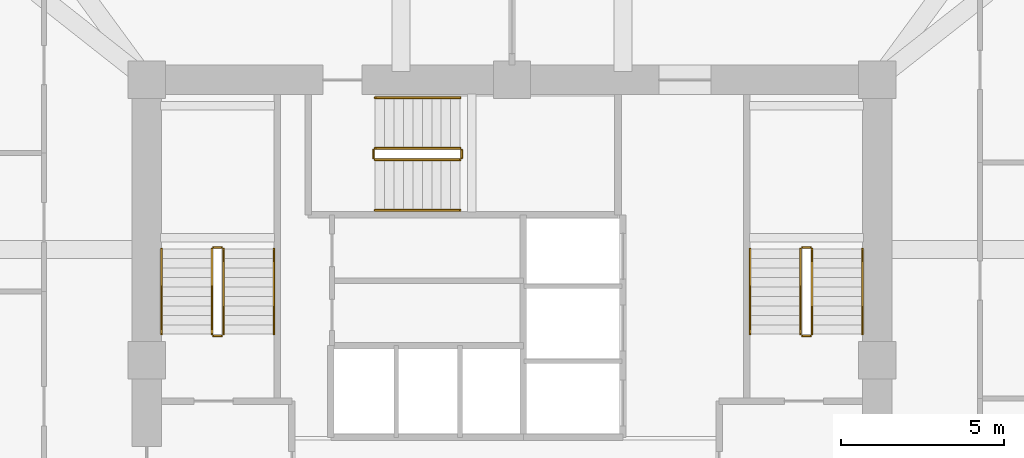
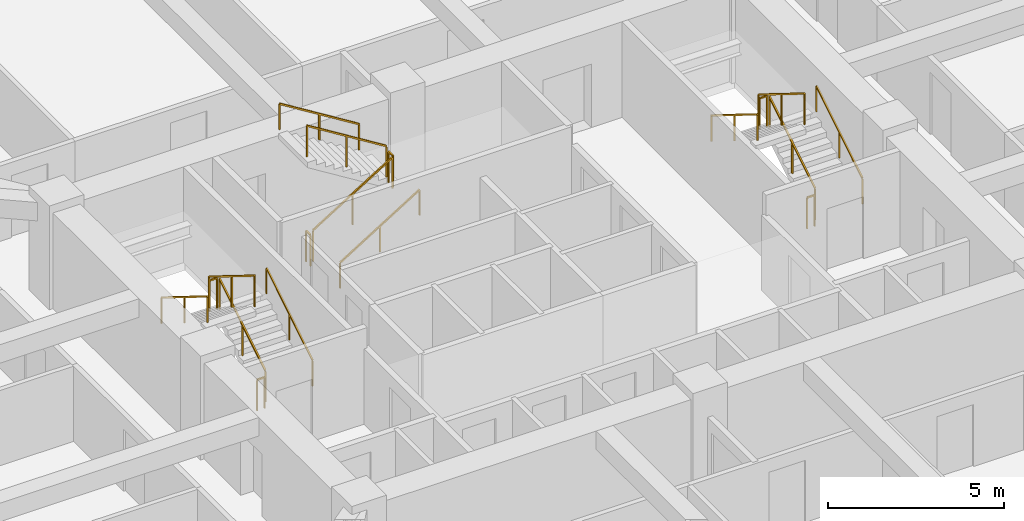
# One storey, part 14 of 14: 18 railings.
"""IFC4 building model written with IfcOpenShell, lengths in metres."""

from ifc_helpers import new_model, si_unit, derived_unit, direction, frame, origin, origin_2d, place, context, subcontext, project, spatial, rectangle, extrude, material, type_object, element, save


model = new_model("IFC4")

# Units and contexts
model_context = context("Model", 3, precision=1e-05, world=origin(), true_north=direction((0.0, 1.0)))
body_context = subcontext(model_context, "Body", "Model", "MODEL_VIEW")
ifc_project = project(units=[si_unit("LENGTHUNIT", "METRE"), si_unit("AREAUNIT", "SQUARE_METRE"), si_unit("VOLUMEUNIT", "CUBIC_METRE"), si_unit("PLANEANGLEUNIT", "RADIAN"), si_unit("MASSUNIT", "GRAM", prefix="KILO"), derived_unit("THERMALTRANSMITTANCEUNIT", [(si_unit("POWERUNIT", "WATT"), 1), (si_unit("LENGTHUNIT", "METRE"), -2), (si_unit("THERMODYNAMICTEMPERATUREUNIT", "KELVIN"), -1)])], contexts=[model_context])

# Site, building, storey
site_placement = place(None, origin())
site = spatial("IfcSite", under=ifc_project, at=site_placement, CompositionType="ELEMENT")
building_placement = place(site_placement, origin())
building = spatial("IfcBuilding", under=site, at=building_placement, Name="Koralith Skygarden Medical Center", CompositionType="ELEMENT")
storey_placement = place(building_placement, frame((0.0, 0.0, 34.739990234375)))
storey = spatial("IfcBuildingStorey", under=building, at=storey_placement, Name="L08", CompositionType="ELEMENT", Elevation=34.739990234375)

# Railings
ifc_material = material(Name="Steel ASTM A500 Grade C", Category="steel")
railing_type_1 = type_object("IfcRailingType", Name="Stair Flight Tubular Handrail 920", PredefinedType="HANDRAIL", material=ifc_material)
railing_1_placement = place(storey_placement, frame((29.699951171875, 26.699951171875, 0.179931640625)))
element("IfcRailing", 1, at=railing_1_placement, inside=storey, type_object=railing_type_1, Name="L08 ST1 stair handrail 1", PredefinedType="HANDRAIL", context=body_context, shape_type="SweptSolid", body=[
    extrude(rectangle(XDim=0.050048828125, YDim=0.050048828125, at=origin_2d()), frame((0.0, 0.001708984375, 0.89599609375), z_axis=(0.0, 0.849632798774, 0.527374731332), x_axis=(-1.0, 0.0, 0.0)), (0.0, 0.0, 1.0), 3.068115234375),
    extrude(rectangle(XDim=0.0419921875, YDim=0.0419921875, at=origin_2d()), origin(), (0.0, 0.0, 1.0), 0.867919921875),
    extrude(rectangle(XDim=0.0419921875, YDim=0.0419921875, at=origin_2d()), frame((0.0, 1.30517578125, 0.81005859375)), (0.0, 0.0, 1.0), 0.867919921875),
    extrude(rectangle(XDim=0.0419921875, YDim=0.0419921875, at=origin_2d()), frame((0.0, 2.610107421875, 1.6201171875)), (0.0, 0.0, 1.0), 0.867919921875),
])
railing_2_placement = place(storey_placement, frame((26.25, 29.31005859375, 1.97998046875)))
element("IfcRailing", 2, at=railing_2_placement, inside=storey, type_object=railing_type_1, Name="L08 ST1 stair handrail 2", PredefinedType="HANDRAIL", context=body_context, shape_type="SweptSolid", body=[
    extrude(rectangle(XDim=0.050048828125, YDim=0.050048828125, at=origin_2d()), frame((0.0, -0.001708984375, 0.89599609375), z_axis=(0.0, -0.849632798774, 0.527374731332), x_axis=(1.0, 0.0, 0.0)), (0.0, 0.0, 1.0), 3.068115234375),
    extrude(rectangle(XDim=0.0419921875, YDim=0.0419921875, at=origin_2d()), origin(), (0.0, 0.0, 1.0), 0.867919921875),
    extrude(rectangle(XDim=0.0419921875, YDim=0.0419921875, at=origin_2d()), frame((0.0, -1.30517578125, 0.81005859375)), (0.0, 0.0, 1.0), 0.867919921875),
    extrude(rectangle(XDim=0.0419921875, YDim=0.0419921875, at=origin_2d()), frame((0.0, -2.610107421875, 1.6201171875)), (0.0, 0.0, 1.0), 0.867919921875),
])
railing_3_placement = place(storey_placement, frame((47.75, 26.699951171875, 0.179931640625)))
element("IfcRailing", 3, at=railing_3_placement, inside=storey, type_object=railing_type_1, Name="L08 ST2 stair handrail 1", PredefinedType="HANDRAIL", context=body_context, shape_type="SweptSolid", body=[
    extrude(rectangle(XDim=0.050048828125, YDim=0.050048828125, at=origin_2d()), frame((0.0, 0.001708984375, 0.89599609375), z_axis=(0.0, 0.849632798774, 0.527374731332), x_axis=(-1.0, 0.0, 0.0)), (0.0, 0.0, 1.0), 3.068115234375),
    extrude(rectangle(XDim=0.0419921875, YDim=0.0419921875, at=origin_2d()), origin(), (0.0, 0.0, 1.0), 0.867919921875),
    extrude(rectangle(XDim=0.0419921875, YDim=0.0419921875, at=origin_2d()), frame((0.0, 1.30517578125, 0.81005859375)), (0.0, 0.0, 1.0), 0.867919921875),
    extrude(rectangle(XDim=0.0419921875, YDim=0.0419921875, at=origin_2d()), frame((0.0, 2.610107421875, 1.6201171875)), (0.0, 0.0, 1.0), 0.867919921875),
])
railing_4_placement = place(storey_placement, frame((44.300048828125, 29.31005859375, 1.97998046875)))
element("IfcRailing", 4, at=railing_4_placement, inside=storey, type_object=railing_type_1, Name="L08 ST2 stair handrail 2", PredefinedType="HANDRAIL", context=body_context, shape_type="SweptSolid", body=[
    extrude(rectangle(XDim=0.050048828125, YDim=0.050048828125, at=origin_2d()), frame((0.0, -0.001708984375, 0.89599609375), z_axis=(0.0, -0.849632798774, 0.527374731332), x_axis=(1.0, 0.0, 0.0)), (0.0, 0.0, 1.0), 3.068115234375),
    extrude(rectangle(XDim=0.0419921875, YDim=0.0419921875, at=origin_2d()), origin(), (0.0, 0.0, 1.0), 0.867919921875),
    extrude(rectangle(XDim=0.0419921875, YDim=0.0419921875, at=origin_2d()), frame((0.0, -1.30517578125, 0.81005859375)), (0.0, 0.0, 1.0), 0.867919921875),
    extrude(rectangle(XDim=0.0419921875, YDim=0.0419921875, at=origin_2d()), frame((0.0, -2.610107421875, 1.6201171875)), (0.0, 0.0, 1.0), 0.867919921875),
])
railing_5_placement = place(storey_placement, frame((32.800048828125, 30.5, 0.179931640625)))
element("IfcRailing", 5, at=railing_5_placement, inside=storey, type_object=railing_type_1, Name="L08 ST3 stair handrail 1", PredefinedType="HANDRAIL", context=body_context, shape_type="SweptSolid", body=[
    extrude(rectangle(XDim=0.050048828125, YDim=0.050048828125, at=origin_2d()), frame((0.001708984375, 0.0, 0.89599609375), z_axis=(0.849610693518, 0.0, 0.52741034258), x_axis=(0.0, 1.0, 0.0)), (0.0, 0.0, 1.0), 3.06787109375),
    extrude(rectangle(XDim=0.0419921875, YDim=0.0419921875, at=origin_2d()), origin(), (0.0, 0.0, 1.0), 0.867919921875),
    extrude(rectangle(XDim=0.0419921875, YDim=0.0419921875, at=origin_2d()), frame((1.304931640625, 0.0, 0.81005859375)), (0.0, 0.0, 1.0), 0.867919921875),
    extrude(rectangle(XDim=0.0419921875, YDim=0.0419921875, at=origin_2d()), frame((2.60986328125, 0.0, 1.6201171875)), (0.0, 0.0, 1.0), 0.867919921875),
])
railing_6_placement = place(storey_placement, frame((35.409912109375, 33.949951171875, 1.97998046875)))
element("IfcRailing", 6, at=railing_6_placement, inside=storey, type_object=railing_type_1, Name="L08 ST3 stair handrail 2", PredefinedType="HANDRAIL", context=body_context, shape_type="SweptSolid", body=[
    extrude(rectangle(XDim=0.050048828125, YDim=0.050048828125, at=origin_2d()), frame((-0.001708984375, 0.0, 0.89599609375), z_axis=(-0.849610693518, 0.0, 0.52741034258), x_axis=(0.0, -1.0, 0.0)), (0.0, 0.0, 1.0), 3.06787109375),
    extrude(rectangle(XDim=0.0419921875, YDim=0.0419921875, at=origin_2d()), origin(), (0.0, 0.0, 1.0), 0.867919921875),
    extrude(rectangle(XDim=0.0419921875, YDim=0.0419921875, at=origin_2d()), frame((-1.304931640625, 0.0, 0.81005859375)), (0.0, 0.0, 1.0), 0.867919921875),
    extrude(rectangle(XDim=0.0419921875, YDim=0.0419921875, at=origin_2d()), frame((-2.60986328125, 0.0, 1.6201171875)), (0.0, 0.0, 1.0), 0.867919921875),
])
railing_type_2 = type_object("IfcRailingType", Name="Stair Well Safety Guardrail 1100", PredefinedType="GUARDRAIL", material=ifc_material)
railing_7_placement = place(storey_placement, frame((28.14990234375, 26.699951171875, 0.179931640625)))
element("IfcRailing", 7, at=railing_7_placement, inside=storey, type_object=railing_type_2, Name="L08 ST1 stair guard 1", PredefinedType="GUARDRAIL", context=body_context, shape_type="SweptSolid", body=[
    extrude(rectangle(XDim=0.050048828125, YDim=0.050048828125, at=origin_2d()), frame((0.0, 0.001708984375, 1.076171875), z_axis=(0.0, 0.849632798774, 0.527374731332), x_axis=(-1.0, 0.0, 0.0)), (0.0, 0.0, 1.0), 3.068115234375),
    extrude(rectangle(XDim=0.0419921875, YDim=0.0419921875, at=origin_2d()), origin(), (0.0, 0.0, 1.0), 1.048095703125),
    extrude(rectangle(XDim=0.0419921875, YDim=0.0419921875, at=origin_2d()), frame((0.0, 1.30517578125, 0.81005859375)), (0.0, 0.0, 1.0), 1.048095703125),
    extrude(rectangle(XDim=0.0419921875, YDim=0.0419921875, at=origin_2d()), frame((0.0, 2.610107421875, 1.6201171875)), (0.0, 0.0, 1.0), 1.048095703125),
])
railing_8_placement = place(storey_placement, frame((28.10009765625, 29.360107421875, 1.800048828125)))
element("IfcRailing", 8, at=railing_8_placement, inside=storey, type_object=railing_type_2, Name="L08 ST1 stair guard 2", PredefinedType="GUARDRAIL", context=body_context, shape_type="SweptSolid", body=[
    extrude(rectangle(XDim=0.050048828125, YDim=0.050048828125, at=origin_2d()), frame((-0.001953125, 0.0, 1.0751953125), z_axis=(-1.0, 0.0, 0.0), x_axis=(0.0, -1.0, 0.0)), (0.0, 0.0, 1.0), 0.24609375),
    extrude(rectangle(XDim=0.0419921875, YDim=0.0419921875, at=origin_2d()), origin(), (0.0, 0.0, 1.0), 1.048095703125),
    extrude(rectangle(XDim=0.0419921875, YDim=0.0419921875, at=origin_2d()), frame((-0.25, 0.0, 0.0)), (0.0, 0.0, 1.0), 1.048095703125),
])
railing_9_placement = place(storey_placement, frame((27.800048828125, 29.31005859375, 1.97998046875)))
element("IfcRailing", 9, at=railing_9_placement, inside=storey, type_object=railing_type_2, Name="L08 ST1 stair guard 3", PredefinedType="GUARDRAIL", context=body_context, shape_type="SweptSolid", body=[
    extrude(rectangle(XDim=0.050048828125, YDim=0.050048828125, at=origin_2d()), frame((0.0, -0.001708984375, 1.076171875), z_axis=(0.0, -0.849632798774, 0.527374731332), x_axis=(1.0, 0.0, 0.0)), (0.0, 0.0, 1.0), 3.068115234375),
    extrude(rectangle(XDim=0.0419921875, YDim=0.0419921875, at=origin_2d()), origin(), (0.0, 0.0, 1.0), 1.048095703125),
    extrude(rectangle(XDim=0.0419921875, YDim=0.0419921875, at=origin_2d()), frame((0.0, -1.30517578125, 0.81005859375)), (0.0, 0.0, 1.0), 1.048095703125),
    extrude(rectangle(XDim=0.0419921875, YDim=0.0419921875, at=origin_2d()), frame((0.0, -2.610107421875, 1.6201171875)), (0.0, 0.0, 1.0), 1.048095703125),
])
railing_10_placement = place(storey_placement, frame((28.10009765625, 26.64990234375, 0.0)))
element("IfcRailing", 10, at=railing_10_placement, inside=storey, type_object=railing_type_2, Name="L08 ST1 stair guard 4", PredefinedType="GUARDRAIL", context=body_context, shape_type="SweptSolid", body=[
    extrude(rectangle(XDim=0.050048828125, YDim=0.050048828125, at=origin_2d()), frame((-0.001953125, 0.0, 1.0751953125), z_axis=(-1.0, 0.0, 0.0), x_axis=(0.0, -1.0, 0.0)), (0.0, 0.0, 1.0), 0.24609375),
    extrude(rectangle(XDim=0.0419921875, YDim=0.0419921875, at=origin_2d()), origin(), (0.0, 0.0, 1.0), 1.048095703125),
    extrude(rectangle(XDim=0.0419921875, YDim=0.0419921875, at=origin_2d()), frame((-0.25, 0.0, 0.0)), (0.0, 0.0, 1.0), 1.048095703125),
])
railing_11_placement = place(storey_placement, frame((46.199951171875, 26.699951171875, 0.179931640625)))
element("IfcRailing", 11, at=railing_11_placement, inside=storey, type_object=railing_type_2, Name="L08 ST2 stair guard 1", PredefinedType="GUARDRAIL", context=body_context, shape_type="SweptSolid", body=[
    extrude(rectangle(XDim=0.050048828125, YDim=0.050048828125, at=origin_2d()), frame((0.0, 0.001708984375, 1.076171875), z_axis=(0.0, 0.849632798774, 0.527374731332), x_axis=(-1.0, 0.0, 0.0)), (0.0, 0.0, 1.0), 3.068115234375),
    extrude(rectangle(XDim=0.0419921875, YDim=0.0419921875, at=origin_2d()), origin(), (0.0, 0.0, 1.0), 1.048095703125),
    extrude(rectangle(XDim=0.0419921875, YDim=0.0419921875, at=origin_2d()), frame((0.0, 1.30517578125, 0.81005859375)), (0.0, 0.0, 1.0), 1.048095703125),
    extrude(rectangle(XDim=0.0419921875, YDim=0.0419921875, at=origin_2d()), frame((0.0, 2.610107421875, 1.6201171875)), (0.0, 0.0, 1.0), 1.048095703125),
])
railing_12_placement = place(storey_placement, frame((46.14990234375, 29.360107421875, 1.800048828125)))
element("IfcRailing", 12, at=railing_12_placement, inside=storey, type_object=railing_type_2, Name="L08 ST2 stair guard 2", PredefinedType="GUARDRAIL", context=body_context, shape_type="SweptSolid", body=[
    extrude(rectangle(XDim=0.050048828125, YDim=0.050048828125, at=origin_2d()), frame((-0.001953125, 0.0, 1.0751953125), z_axis=(-1.0, 0.0, 0.0), x_axis=(0.0, -1.0, 0.0)), (0.0, 0.0, 1.0), 0.24609375),
    extrude(rectangle(XDim=0.0419921875, YDim=0.0419921875, at=origin_2d()), origin(), (0.0, 0.0, 1.0), 1.048095703125),
    extrude(rectangle(XDim=0.0419921875, YDim=0.0419921875, at=origin_2d()), frame((-0.25, 0.0, 0.0)), (0.0, 0.0, 1.0), 1.048095703125),
])
railing_13_placement = place(storey_placement, frame((45.85009765625, 29.31005859375, 1.97998046875)))
element("IfcRailing", 13, at=railing_13_placement, inside=storey, type_object=railing_type_2, Name="L08 ST2 stair guard 3", PredefinedType="GUARDRAIL", context=body_context, shape_type="SweptSolid", body=[
    extrude(rectangle(XDim=0.050048828125, YDim=0.050048828125, at=origin_2d()), frame((0.0, -0.001708984375, 1.076171875), z_axis=(0.0, -0.849632798774, 0.527374731332), x_axis=(1.0, 0.0, 0.0)), (0.0, 0.0, 1.0), 3.068115234375),
    extrude(rectangle(XDim=0.0419921875, YDim=0.0419921875, at=origin_2d()), origin(), (0.0, 0.0, 1.0), 1.048095703125),
    extrude(rectangle(XDim=0.0419921875, YDim=0.0419921875, at=origin_2d()), frame((0.0, -1.30517578125, 0.81005859375)), (0.0, 0.0, 1.0), 1.048095703125),
    extrude(rectangle(XDim=0.0419921875, YDim=0.0419921875, at=origin_2d()), frame((0.0, -2.610107421875, 1.6201171875)), (0.0, 0.0, 1.0), 1.048095703125),
])
railing_14_placement = place(storey_placement, frame((46.14990234375, 26.64990234375, 0.0)))
element("IfcRailing", 14, at=railing_14_placement, inside=storey, type_object=railing_type_2, Name="L08 ST2 stair guard 4", PredefinedType="GUARDRAIL", context=body_context, shape_type="SweptSolid", body=[
    extrude(rectangle(XDim=0.050048828125, YDim=0.050048828125, at=origin_2d()), frame((-0.001953125, 0.0, 1.0751953125), z_axis=(-1.0, 0.0, 0.0), x_axis=(0.0, -1.0, 0.0)), (0.0, 0.0, 1.0), 0.24609375),
    extrude(rectangle(XDim=0.0419921875, YDim=0.0419921875, at=origin_2d()), origin(), (0.0, 0.0, 1.0), 1.048095703125),
    extrude(rectangle(XDim=0.0419921875, YDim=0.0419921875, at=origin_2d()), frame((-0.25, 0.0, 0.0)), (0.0, 0.0, 1.0), 1.048095703125),
])
railing_15_placement = place(storey_placement, frame((32.800048828125, 32.050048828125, 0.179931640625)))
element("IfcRailing", 15, at=railing_15_placement, inside=storey, type_object=railing_type_2, Name="L08 ST3 stair guard 1", PredefinedType="GUARDRAIL", context=body_context, shape_type="SweptSolid", body=[
    extrude(rectangle(XDim=0.050048828125, YDim=0.050048828125, at=origin_2d()), frame((0.001708984375, 0.0, 1.076171875), z_axis=(0.849610693518, 0.0, 0.52741034258), x_axis=(0.0, 1.0, 0.0)), (0.0, 0.0, 1.0), 3.06787109375),
    extrude(rectangle(XDim=0.0419921875, YDim=0.0419921875, at=origin_2d()), origin(), (0.0, 0.0, 1.0), 1.048095703125),
    extrude(rectangle(XDim=0.0419921875, YDim=0.0419921875, at=origin_2d()), frame((1.304931640625, 0.0, 0.81005859375)), (0.0, 0.0, 1.0), 1.048095703125),
    extrude(rectangle(XDim=0.0419921875, YDim=0.0419921875, at=origin_2d()), frame((2.60986328125, 0.0, 1.6201171875)), (0.0, 0.0, 1.0), 1.048095703125),
])
railing_16_placement = place(storey_placement, frame((35.4599609375, 32.10009765625, 1.800048828125)))
element("IfcRailing", 16, at=railing_16_placement, inside=storey, type_object=railing_type_2, Name="L08 ST3 stair guard 2", PredefinedType="GUARDRAIL", context=body_context, shape_type="SweptSolid", body=[
    extrude(rectangle(XDim=0.050048828125, YDim=0.050048828125, at=origin_2d()), frame((0.0, 0.001953125, 1.0751953125), z_axis=(0.0, 1.0, 0.0), x_axis=(-1.0, 0.0, 0.0)), (0.0, 0.0, 1.0), 0.24609375),
    extrude(rectangle(XDim=0.0419921875, YDim=0.0419921875, at=origin_2d()), origin(), (0.0, 0.0, 1.0), 1.048095703125),
    extrude(rectangle(XDim=0.0419921875, YDim=0.0419921875, at=origin_2d()), frame((0.0, 0.25, 0.0)), (0.0, 0.0, 1.0), 1.048095703125),
])
railing_17_placement = place(storey_placement, frame((35.409912109375, 32.39990234375, 1.97998046875)))
element("IfcRailing", 17, at=railing_17_placement, inside=storey, type_object=railing_type_2, Name="L08 ST3 stair guard 3", PredefinedType="GUARDRAIL", context=body_context, shape_type="SweptSolid", body=[
    extrude(rectangle(XDim=0.050048828125, YDim=0.050048828125, at=origin_2d()), frame((-0.001708984375, 0.0, 1.076171875), z_axis=(-0.849610693518, 0.0, 0.52741034258), x_axis=(0.0, -1.0, 0.0)), (0.0, 0.0, 1.0), 3.06787109375),
    extrude(rectangle(XDim=0.0419921875, YDim=0.0419921875, at=origin_2d()), origin(), (0.0, 0.0, 1.0), 1.048095703125),
    extrude(rectangle(XDim=0.0419921875, YDim=0.0419921875, at=origin_2d()), frame((-1.304931640625, 0.0, 0.81005859375)), (0.0, 0.0, 1.0), 1.048095703125),
    extrude(rectangle(XDim=0.0419921875, YDim=0.0419921875, at=origin_2d()), frame((-2.60986328125, 0.0, 1.6201171875)), (0.0, 0.0, 1.0), 1.048095703125),
])
railing_18_placement = place(storey_placement, frame((32.75, 32.10009765625, 0.0)))
element("IfcRailing", 18, at=railing_18_placement, inside=storey, type_object=railing_type_2, Name="L08 ST3 stair guard 4", PredefinedType="GUARDRAIL", context=body_context, shape_type="SweptSolid", body=[
    extrude(rectangle(XDim=0.050048828125, YDim=0.050048828125, at=origin_2d()), frame((0.0, 0.001953125, 1.0751953125), z_axis=(0.0, 1.0, 0.0), x_axis=(-1.0, 0.0, 0.0)), (0.0, 0.0, 1.0), 0.24609375),
    extrude(rectangle(XDim=0.0419921875, YDim=0.0419921875, at=origin_2d()), origin(), (0.0, 0.0, 1.0), 1.048095703125),
    extrude(rectangle(XDim=0.0419921875, YDim=0.0419921875, at=origin_2d()), frame((0.0, 0.25, 0.0)), (0.0, 0.0, 1.0), 1.048095703125),
])

save(model, "model.ifc")
